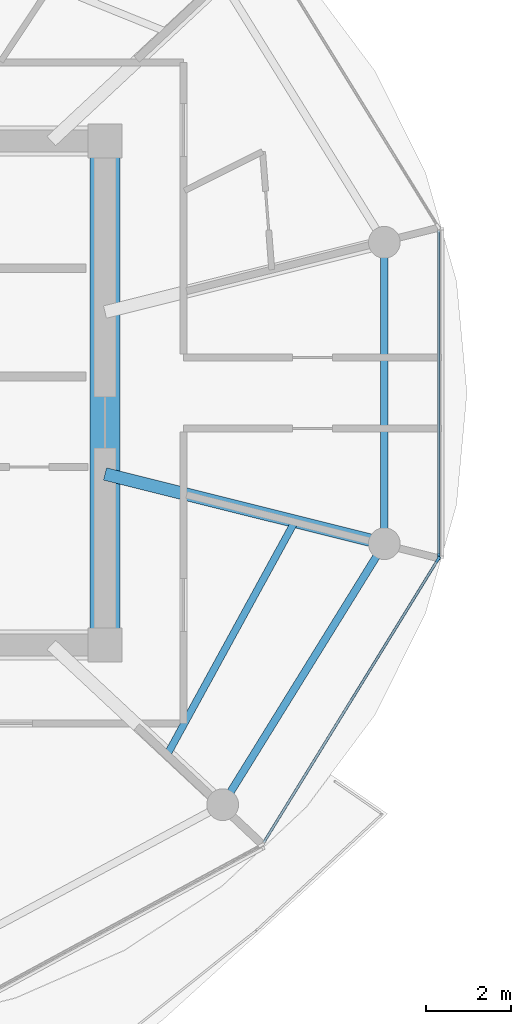
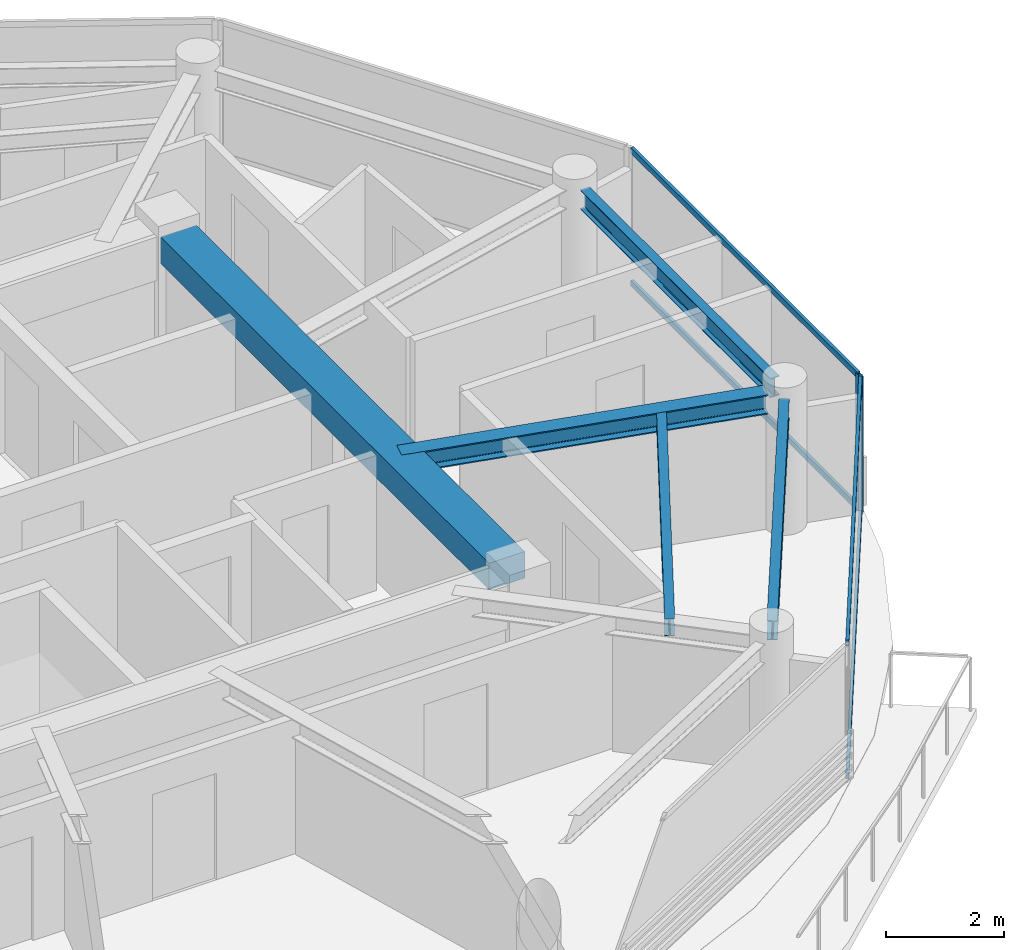
# One storey, part 3 of 19: 6 members, 5 beams, 2 elements without a shape of their own.
"""IFC4 building model written with IfcOpenShell, lengths in metres."""

from ifc_helpers import new_model, si_unit, direction, frame, origin, origin_2d, place, context, subcontext, project, spatial, rectangle, i_section, extrude, source, transform, mapped, material, layer, layer_set, material_profile, profile_set, type_object, type_shapes, element, aggregate, save


model = new_model("IFC4")

# Units and contexts
model_context = context("Model", 3, precision=1e-05, world=origin(), true_north=direction((0.0, 1.0)))
body_context = subcontext(model_context, "Body", "Model", "MODEL_VIEW")
ifc_project = project(units=[si_unit("LENGTHUNIT", "METRE"), si_unit("AREAUNIT", "SQUARE_METRE"), si_unit("VOLUMEUNIT", "CUBIC_METRE"), si_unit("PLANEANGLEUNIT", "RADIAN"), si_unit("MASSUNIT", "GRAM", prefix="KILO")], contexts=[model_context])

# Site, building, storey
site_placement = place(None, origin())
site = spatial("IfcSite", under=ifc_project, at=site_placement, CompositionType="ELEMENT")
building_placement = place(site_placement, origin())
building = spatial("IfcBuilding", under=site, at=building_placement, Name="Norrkilde Senior Care Towers", CompositionType="ELEMENT")
storey_placement = place(building_placement, frame((0.0, 0.0, 235.25)))
storey = spatial("IfcBuildingStorey", under=building, at=storey_placement, Name="L73", CompositionType="ELEMENT", Elevation=235.25)

# Beams
ifc_material_1 = material(Name="Concrete C60/75", Category="concrete")
ifc_material_profile_1 = material_profile(ifc_material_1, rectangle(XDim=0.699951171875, YDim=0.550048828125, at=origin_2d()), Name="RC BM 700x550")
ifc_profile_set_1 = profile_set([ifc_material_profile_1], Name="Concrete C60/75")
beam_type_1 = type_object("IfcBeamType", Name="Core Portal Coupling Beam 700x550", PredefinedType="USERDEFINED", material=ifc_profile_set_1)
shared_shape_1 = source(origin(), body_context, "Body", "SweptSolid", [
    extrude(rectangle(XDim=0.699951171875, YDim=0.550048828125, at=origin_2d()), origin(), (0.0, 0.0, 1.0), 11.14013671875),
])
type_shapes(beam_type_1, [shared_shape_1])
beam_1_placement = place(storey_placement, frame((-20.35009765625, -5.570068359375, 2.534912109375), z_axis=(0.0, 1.0, 0.0), x_axis=(-1.0, 0.0, 0.0)))
element("IfcBeam", 1, at=beam_1_placement, inside=storey, type_object=beam_type_1, Name="L73 Core W E Coupling Girder", ObjectType="GIRDER", PredefinedType="USERDEFINED", context=body_context, shape_type="MappedRepresentation", body=[
    mapped(shared_shape_1, transform((0.0, 0.0, 0.0), x_axis=(1.0, 0.0, 0.0), y_axis=(0.0, 1.0, 0.0), z_axis=(0.0, 0.0, 1.0), scale=1.0)),
])
ifc_material_2 = material(Name="Steel S355", Category="steel")
ifc_material_profile_2 = material_profile(ifc_material_2, i_section(OverallWidth=0.179931640625, OverallDepth=0.39990234375, WebThickness=0.008544921875, FlangeThickness=0.013427734375, FilletRadius=0.02099609375, at=origin_2d()), Name="IPE 400")
ifc_profile_set_2 = profile_set([ifc_material_profile_2], Name="Steel S355")
beam_type_2 = type_object("IfcBeamType", Name="Perimeter Ring Spandrel Z4 IPE400", PredefinedType="SPANDREL", material=ifc_profile_set_2)
shared_shape_2 = source(origin(), body_context, "Body", "SweptSolid", [
    extrude(i_section(OverallWidth=0.179931640625, OverallDepth=0.39990234375, WebThickness=0.008544921875, FlangeThickness=0.013427734375, FilletRadius=0.02099609375, at=origin_2d()), origin(), (0.0, 0.0, 1.0), 6.58056640625),
])
beam_2_placement = place(storey_placement, frame((-17.393798828125, -9.43798828125, 2.610107421875), z_axis=(0.526529583789, 0.850156807533, 0.0), x_axis=(-0.850156807533, 0.526529583789, 0.0)))
element("IfcBeam", 2, at=beam_2_placement, inside=storey, type_object=beam_type_2, Name="L73 Drum W Perimeter Spandrel 11", PredefinedType="SPANDREL", context=body_context, shape_type="MappedRepresentation", body=[
    mapped(shared_shape_2, transform((0.0, 0.0, 0.0), x_axis=(1.0, 0.0, 0.0), y_axis=(0.0, 1.0, 0.0), z_axis=(0.0, 0.0, 1.0), scale=1.0)),
])
ifc_material_profile_3 = material_profile(ifc_material_2, i_section(OverallWidth=0.300048828125, OverallDepth=0.39990234375, WebThickness=0.013427734375, FlangeThickness=0.02392578125, FilletRadius=0.027099609375, at=origin_2d()), Name="HEB 400")
ifc_profile_set_3 = profile_set([ifc_material_profile_3], Name="Steel S355")
beam_type_3 = type_object("IfcBeamType", Name="Radial Floor Beam Z4 HEB400", PredefinedType="BEAM", material=ifc_profile_set_3)
shared_shape_3 = source(origin(), body_context, "Body", "SweptSolid", [
    extrude(i_section(OverallWidth=0.300048828125, OverallDepth=0.39990234375, WebThickness=0.013427734375, FlangeThickness=0.02392578125, FilletRadius=0.027099609375, at=origin_2d()), origin(), (0.0, 0.0, 1.0), 6.465087890625),
])
type_shapes(beam_type_3, [shared_shape_3])
beam_3_placement = place(storey_placement, frame((-20.35009765625, -1.910888671875, 2.610107421875), z_axis=(0.970195788563, -0.242322371758, 0.0), x_axis=(0.242322371758, 0.970195788563, 0.0)))
element("IfcBeam", 3, at=beam_3_placement, inside=storey, type_object=beam_type_3, Name="L73 Drum W Radial Floor Beam 12", PredefinedType="BEAM", context=body_context, shape_type="MappedRepresentation", body=[
    mapped(shared_shape_3, transform((0.0, 0.0, 0.0), x_axis=(1.0, 0.0, 0.0), y_axis=(0.0, 1.0, 0.0), z_axis=(0.0, 0.0, 1.0), scale=1.0)),
])
shared_shape_4 = source(origin(), body_context, "Body", "SweptSolid", [
    extrude(i_section(OverallWidth=0.179931640625, OverallDepth=0.39990234375, WebThickness=0.008544921875, FlangeThickness=0.013427734375, FilletRadius=0.02099609375, at=origin_2d()), origin(), (0.0, 0.0, 1.0), 6.44775390625),
])
type_shapes(beam_type_2, [shared_shape_2, shared_shape_4])
beam_4_placement = place(storey_placement, frame((-13.752685546875, -3.223876953125, 2.610107421875), z_axis=(0.0, 1.0, 0.0), x_axis=(-1.0, 0.0, 0.0)))
element("IfcBeam", 4, at=beam_4_placement, inside=storey, type_object=beam_type_2, Name="L73 Drum W Perimeter Spandrel 12", PredefinedType="SPANDREL", context=body_context, shape_type="MappedRepresentation", body=[
    mapped(shared_shape_4, transform((0.0, 0.0, 0.0), x_axis=(1.0, 0.0, 0.0), y_axis=(0.0, 1.0, 0.0), z_axis=(0.0, 0.0, 1.0), scale=1.0)),
])
ifc_material_profile_4 = material_profile(ifc_material_2, i_section(OverallWidth=0.169921875, OverallDepth=0.360107421875, WebThickness=0.008056640625, FlangeThickness=0.0126953125, FilletRadius=0.01806640625, at=origin_2d()), Name="IPE 360")
ifc_profile_set_4 = profile_set([ifc_material_profile_4], Name="Steel S355")
beam_type_4 = type_object("IfcBeamType", Name="Secondary Floor Joist IPE360", PredefinedType="JOIST", material=ifc_profile_set_4)
shared_shape_5 = source(origin(), body_context, "Body", "SweptSolid", [
    extrude(i_section(OverallWidth=0.169921875, OverallDepth=0.360107421875, WebThickness=0.008056640625, FlangeThickness=0.0126953125, FilletRadius=0.01806640625, at=origin_2d()), origin(), (0.0, 0.0, 1.0), 6.25146484375),
])
type_shapes(beam_type_4, [shared_shape_5])
beam_5_placement = place(storey_placement, frame((-18.865234375, -8.515380859375, 2.6298828125), z_axis=(0.480115752653, 0.877205143655, 0.0), x_axis=(-0.877205143655, 0.480115752653, 0.0)))
element("IfcBeam", 5, at=beam_5_placement, inside=storey, type_object=beam_type_4, Name="L73 Drum W Secondary Floor Joist 4", PredefinedType="JOIST", context=body_context, shape_type="MappedRepresentation", body=[
    mapped(shared_shape_5, transform((0.0, 0.0, 0.0), x_axis=(1.0, 0.0, 0.0), y_axis=(0.0, 1.0, 0.0), z_axis=(0.0, 0.0, 1.0), scale=1.0)),
])

# Curtain wall, member
ifc_material_3 = material(Name="Triple Low-E Insulated Glazing", Category="glass")
ifc_layer = layer(ifc_material_3, 0.18505859375)
ifc_layer_set = layer_set([ifc_layer], Name="Triple Low-E Insulated Glazing")
curtain_wall_type = type_object("IfcCurtainWallType", Name="CW6 Zone 4 Crown Pavilion Curtain Wall", PredefinedType="NOTDEFINED", material=ifc_layer_set)
curtain_wall_1_placement = place(storey_placement, origin())
curtain_wall_1 = element("IfcCurtainWall", 6, at=curtain_wall_1_placement, inside=storey, type_object=curtain_wall_type, Name="L73 Drum W Curtain Wall 10", PredefinedType="NOTDEFINED")
ifc_material_4 = material(Name="Anodised Aluminium", Category="aluminium")
ifc_material_profile_5 = material_profile(ifc_material_4, rectangle(XDim=0.06494140625, YDim=0.14990234375, at=origin_2d()), Name="ALU MULL 65x150")
ifc_profile_set_5 = profile_set([ifc_material_profile_5], Name="Anodised Aluminium")
member_type_1 = type_object("IfcMemberType", Name="Curtain Wall Mullion Z3-Z4 65x150", PredefinedType="MULLION", material=ifc_profile_set_5)
shared_shape_6 = source(origin(), body_context, "Body", "SweptSolid", [
    extrude(rectangle(XDim=0.06494140625, YDim=0.14990234375, at=origin_2d()), origin(), (0.0, 0.0, 1.0), 2.81005859375),
])
type_shapes(member_type_1, [shared_shape_6])
member_1_placement = place(storey_placement, frame((-12.48486328125, -3.9306640625, 0.0), z_axis=(0.0, 0.0, 1.0), x_axis=(0.851562727283, -0.524252726748, 0.0)))
member_1 = element("IfcMember", 7, at=member_1_placement, type_object=member_type_1, Name="CW-6 mullion 1", PredefinedType="MULLION", context=body_context, shape_type="MappedRepresentation", body=[
    mapped(shared_shape_6, transform((0.0, 0.0, 0.0), x_axis=(1.0, 0.0, 0.0), y_axis=(0.0, 1.0, 0.0), z_axis=(0.0, 0.0, 1.0), scale=1.0)),
])

curtain_wall_2_placement = place(storey_placement, origin())
curtain_wall_2 = element("IfcCurtainWall", 8, at=curtain_wall_2_placement, inside=storey, type_object=curtain_wall_type, Name="L73 Drum W Curtain Wall 11", PredefinedType="NOTDEFINED")
member_2_placement = place(storey_placement, frame((-12.468017578125, -3.87060546875, 0.0), z_axis=(0.0, 0.0, 1.0), x_axis=(1.0, 0.0, 0.0)))
member_2 = element("IfcMember", 9, at=member_2_placement, type_object=member_type_1, Name="CW-6 mullion 2", PredefinedType="MULLION", context=body_context, shape_type="MappedRepresentation", body=[
    mapped(shared_shape_6, transform((0.0, 0.0, 0.0), x_axis=(1.0, 0.0, 0.0), y_axis=(0.0, 1.0, 0.0), z_axis=(0.0, 0.0, 1.0), scale=1.0)),
])

# Member
ifc_material_profile_6 = material_profile(ifc_material_4, rectangle(XDim=0.06005859375, YDim=0.1201171875, at=origin_2d()), Name="ALU TRAN 60x120")
ifc_profile_set_6 = profile_set([ifc_material_profile_6], Name="Anodised Aluminium")
member_type_2 = type_object("IfcMemberType", Name="Curtain Wall Transom Typical 60x120", PredefinedType="USERDEFINED", material=ifc_profile_set_6)
shared_shape_7 = source(origin(), body_context, "Body", "SweptSolid", [
    extrude(rectangle(XDim=0.06005859375, YDim=0.1201171875, at=origin_2d()), origin(), (0.0, 0.0, 1.0), 7.808837890625),
])
member_3_placement = place(storey_placement, frame((-12.501953125, -3.958251953125, 0.030029296875), z_axis=(-0.524250924101, -0.851563837055, 0.0), x_axis=(0.851563837055, -0.524250924101, 0.0)))
member_3 = element("IfcMember", 10, at=member_3_placement, type_object=member_type_2, Name="CW-6 transom 1.1", ObjectType="TRANSOM", PredefinedType="USERDEFINED", context=body_context, shape_type="MappedRepresentation", body=[
    mapped(shared_shape_7, transform((0.0, 0.0, 0.0), x_axis=(1.0, 0.0, 0.0), y_axis=(0.0, 1.0, 0.0), z_axis=(0.0, 0.0, 1.0), scale=1.0)),
])

member_4_placement = place(storey_placement, frame((-12.501953125, -3.958251953125, 2.780029296875), z_axis=(-0.524250924101, -0.851563837055, 0.0), x_axis=(0.851563837055, -0.524250924101, 0.0)))
member_4 = element("IfcMember", 11, at=member_4_placement, type_object=member_type_2, Name="CW-6 transom 1.2", ObjectType="TRANSOM", PredefinedType="USERDEFINED", context=body_context, shape_type="MappedRepresentation", body=[
    mapped(shared_shape_7, transform((0.0, 0.0, 0.0), x_axis=(1.0, 0.0, 0.0), y_axis=(0.0, 1.0, 0.0), z_axis=(0.0, 0.0, 1.0), scale=1.0)),
])

aggregate(curtain_wall_1, [member_1, member_3, member_4])

shared_shape_8 = source(origin(), body_context, "Body", "SweptSolid", [
    extrude(rectangle(XDim=0.06005859375, YDim=0.1201171875, at=origin_2d()), origin(), (0.0, 0.0, 1.0), 7.67578125),
])
type_shapes(member_type_2, [shared_shape_7, shared_shape_8])
member_5_placement = place(storey_placement, frame((-12.468017578125, 3.837890625, 0.030029296875), z_axis=(0.0, -1.0, 0.0), x_axis=(1.0, 0.0, 0.0)))
member_5 = element("IfcMember", 12, at=member_5_placement, type_object=member_type_2, Name="CW-6 transom 1.1", ObjectType="TRANSOM", PredefinedType="USERDEFINED", context=body_context, shape_type="MappedRepresentation", body=[
    mapped(shared_shape_8, transform((0.0, 0.0, 0.0), x_axis=(1.0, 0.0, 0.0), y_axis=(0.0, 1.0, 0.0), z_axis=(0.0, 0.0, 1.0), scale=1.0)),
])

member_6_placement = place(storey_placement, frame((-12.468017578125, 3.837890625, 2.780029296875), z_axis=(0.0, -1.0, 0.0), x_axis=(1.0, 0.0, 0.0)))
member_6 = element("IfcMember", 13, at=member_6_placement, type_object=member_type_2, Name="CW-6 transom 1.2", ObjectType="TRANSOM", PredefinedType="USERDEFINED", context=body_context, shape_type="MappedRepresentation", body=[
    mapped(shared_shape_8, transform((0.0, 0.0, 0.0), x_axis=(1.0, 0.0, 0.0), y_axis=(0.0, 1.0, 0.0), z_axis=(0.0, 0.0, 1.0), scale=1.0)),
])

aggregate(curtain_wall_2, [member_2, member_5, member_6])

save(model, "model.ifc")
